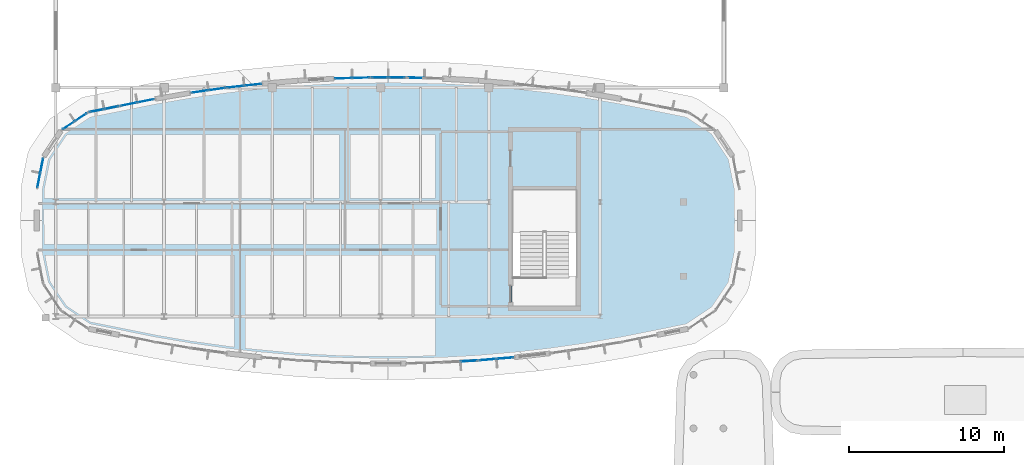
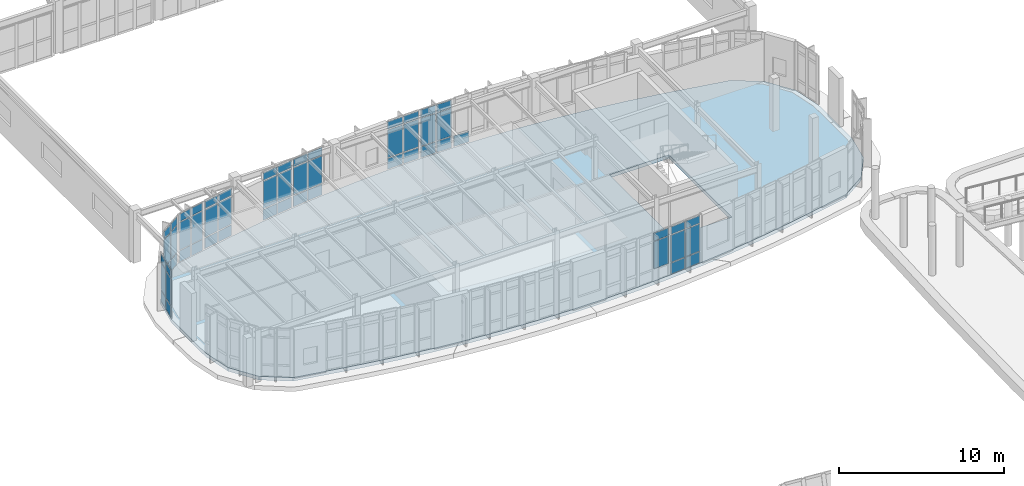
# One storey, part 72 of 111: 57 plates, 1 slab, 11 elements without a shape of their own.
"""IFC4 building model written with IfcOpenShell, lengths in metres."""

from ifc_helpers import new_model, si_unit, direction, frame, origin, origin_2d, place, context, subcontext, project, spatial, polyline, rectangle, outline, extrude, material, layer, layer_set, type_object, element, aggregate, save


model = new_model("IFC4")

# Units and contexts
model_context = context("Model", 3, precision=1e-05, world=origin(), true_north=direction((0.0, 1.0)))
body_context = subcontext(model_context, "Body", "Model", "MODEL_VIEW")
ifc_project = project(units=[si_unit("LENGTHUNIT", "METRE"), si_unit("AREAUNIT", "SQUARE_METRE"), si_unit("VOLUMEUNIT", "CUBIC_METRE"), si_unit("PLANEANGLEUNIT", "RADIAN"), si_unit("MASSUNIT", "GRAM", prefix="KILO")], contexts=[model_context])

# Site, building, storey
site_placement = place(None, origin())
site = spatial("IfcSite", under=ifc_project, at=site_placement, CompositionType="ELEMENT")
building_placement = place(site_placement, origin())
building = spatial("IfcBuilding", under=site, at=building_placement, Name="Corveleigh Park Community Centre", CompositionType="ELEMENT")
storey_placement = place(building_placement, frame((0.0, 0.0, 4.800048828125)))
storey = spatial("IfcBuildingStorey", under=building, at=storey_placement, Name="L01", CompositionType="ELEMENT", Elevation=4.800048828125)

# Curtain wall, plates
ifc_material_1 = material(Name="Anodised aluminium 6063-T6", Category="aluminium")
curtain_wall_type = type_object("IfcCurtainWallType", Name="CW-SYS-V2-HALL", PredefinedType="NOTDEFINED", material=ifc_material_1)
curtain_wall_1_placement = place(storey_placement, origin())
curtain_wall_1 = element("IfcCurtainWall", 1, at=curtain_wall_1_placement, inside=storey, type_object=curtain_wall_type, Name="V2 L01 Curtain Wall 217", PredefinedType="NOTDEFINED")
ifc_material_2 = material(Name="Low-E double glazing", Category="glass")
ifc_layer_1 = layer(ifc_material_2, 0.02392578125, Name="Low-E double glazing", Category="glass")
ifc_layer_set_1 = layer_set([ifc_layer_1], Name="Low-E double glazing")
plate_type_1 = type_object("IfcPlateType", Name="CWP-GLZ-24", PredefinedType="CURTAIN_PANEL", material=ifc_layer_set_1)
plate_1_placement = place(storey_placement, frame((29.802734375, 93.39501953125, 0.06494140625), z_axis=(0.0, 0.0, 1.0), x_axis=(0.999593845531, 0.028498139871, 0.0)))
plate_1 = element("IfcPlate", 2, at=plate_1_placement, type_object=plate_type_1, Name="CW04 panel 1.1", PredefinedType="CURTAIN_PANEL", context=body_context, shape_type="SweptSolid", body=[
    extrude(rectangle(XDim=1.06787109375, YDim=0.02392578125, at=origin_2d()), origin(), (0.0, 0.0, 1.0), 0.802490234375),
])
plate_2_placement = place(storey_placement, frame((29.802734375, 93.39501953125, 0.932373046875), z_axis=(0.0, 0.0, 1.0), x_axis=(0.999593845531, 0.028498139871, 0.0)))
plate_2 = element("IfcPlate", 3, at=plate_2_placement, type_object=plate_type_1, Name="CW04 panel 1.2", PredefinedType="CURTAIN_PANEL", context=body_context, shape_type="SweptSolid", body=[
    extrude(rectangle(XDim=1.06787109375, YDim=0.02392578125, at=origin_2d()), origin(), (0.0, 0.0, 1.0), 2.0419921875),
])
plate_3_placement = place(storey_placement, frame((29.802734375, 93.39501953125, 3.03955078125), z_axis=(0.0, 0.0, 1.0), x_axis=(0.999593845531, 0.028498139871, 0.0)))
plate_3 = element("IfcPlate", 4, at=plate_3_placement, type_object=plate_type_1, Name="CW04 panel 1.3", PredefinedType="CURTAIN_PANEL", context=body_context, shape_type="SweptSolid", body=[
    extrude(rectangle(XDim=1.06787109375, YDim=0.02392578125, at=origin_2d()), origin(), (0.0, 0.0, 1.0), 0.552490234375),
])
plate_4_placement = place(storey_placement, frame((30.93017578125, 93.427001953125, 0.06494140625), z_axis=(0.0, 0.0, 1.0), x_axis=(0.999593845531, 0.028498139871, 0.0)))
plate_4 = element("IfcPlate", 5, at=plate_4_placement, type_object=plate_type_1, Name="CW04 panel 2.1", PredefinedType="CURTAIN_PANEL", context=body_context, shape_type="SweptSolid", body=[
    extrude(rectangle(XDim=1.06787109375, YDim=0.02392578125, at=origin_2d()), origin(), (0.0, 0.0, 1.0), 0.802490234375),
])
plate_5_placement = place(storey_placement, frame((30.93017578125, 93.427001953125, 0.932373046875), z_axis=(0.0, 0.0, 1.0), x_axis=(0.999593845531, 0.028498139871, 0.0)))
plate_5 = element("IfcPlate", 6, at=plate_5_placement, type_object=plate_type_1, Name="CW04 panel 2.2", PredefinedType="CURTAIN_PANEL", context=body_context, shape_type="SweptSolid", body=[
    extrude(rectangle(XDim=1.06787109375, YDim=0.02392578125, at=origin_2d()), origin(), (0.0, 0.0, 1.0), 2.0419921875),
])
plate_6_placement = place(storey_placement, frame((30.93017578125, 93.427001953125, 3.03955078125), z_axis=(0.0, 0.0, 1.0), x_axis=(0.999593845531, 0.028498139871, 0.0)))
plate_6 = element("IfcPlate", 7, at=plate_6_placement, type_object=plate_type_1, Name="CW04 panel 2.3", PredefinedType="CURTAIN_PANEL", context=body_context, shape_type="SweptSolid", body=[
    extrude(rectangle(XDim=1.06787109375, YDim=0.02392578125, at=origin_2d()), origin(), (0.0, 0.0, 1.0), 0.552490234375),
])
aggregate(curtain_wall_1, [plate_1, plate_2, plate_3, plate_4, plate_5, plate_6])

curtain_wall_2_placement = place(storey_placement, origin())
curtain_wall_2 = element("IfcCurtainWall", 8, at=curtain_wall_2_placement, inside=storey, type_object=curtain_wall_type, Name="V2 L01 Curtain Wall 218", PredefinedType="NOTDEFINED")
plate_7_placement = place(storey_placement, frame((22.826416015625, 92.852294921875, 0.070068359375), z_axis=(0.0, 0.0, 1.0), x_axis=(0.99357990731, 0.113132523128, 0.0)))
plate_7 = element("IfcPlate", 9, at=plate_7_placement, type_object=plate_type_1, Name="CW04 panel 1.1", PredefinedType="CURTAIN_PANEL", context=body_context, shape_type="SweptSolid", body=[
    extrude(rectangle(XDim=1.060546875, YDim=0.02392578125, at=origin_2d()), origin(), (0.0, 0.0, 1.0), 0.794921875),
])
plate_8_placement = place(storey_placement, frame((22.826416015625, 92.852294921875, 0.934814453125), z_axis=(0.0, 0.0, 1.0), x_axis=(0.99357990731, 0.113132523128, 0.0)))
plate_8 = element("IfcPlate", 10, at=plate_8_placement, type_object=plate_type_1, Name="CW04 panel 1.2", PredefinedType="CURTAIN_PANEL", context=body_context, shape_type="SweptSolid", body=[
    extrude(rectangle(XDim=1.060546875, YDim=0.02392578125, at=origin_2d()), origin(), (0.0, 0.0, 1.0), 2.037109375),
])
plate_9_placement = place(storey_placement, frame((22.826416015625, 92.852294921875, 3.0419921875), z_axis=(0.0, 0.0, 1.0), x_axis=(0.99357990731, 0.113132523128, 0.0)))
plate_9 = element("IfcPlate", 11, at=plate_9_placement, type_object=plate_type_1, Name="CW04 panel 1.3", PredefinedType="CURTAIN_PANEL", context=body_context, shape_type="SweptSolid", body=[
    extrude(rectangle(XDim=1.060546875, YDim=0.02392578125, at=origin_2d()), origin(), (0.0, 0.0, 1.0), 0.544921875),
])
plate_10_placement = place(storey_placement, frame((23.944580078125, 92.979736328125, 0.070068359375), z_axis=(0.0, 0.0, 1.0), x_axis=(0.99357990731, 0.113132523128, 0.0)))
plate_10 = element("IfcPlate", 12, at=plate_10_placement, type_object=plate_type_1, Name="CW04 panel 2.1", PredefinedType="CURTAIN_PANEL", context=body_context, shape_type="SweptSolid", body=[
    extrude(rectangle(XDim=1.060546875, YDim=0.02392578125, at=origin_2d()), origin(), (0.0, 0.0, 1.0), 0.794921875),
])
plate_11_placement = place(storey_placement, frame((23.944580078125, 92.979736328125, 0.934814453125), z_axis=(0.0, 0.0, 1.0), x_axis=(0.99357990731, 0.113132523128, 0.0)))
plate_11 = element("IfcPlate", 13, at=plate_11_placement, type_object=plate_type_1, Name="CW04 panel 2.2", PredefinedType="CURTAIN_PANEL", context=body_context, shape_type="SweptSolid", body=[
    extrude(rectangle(XDim=1.060546875, YDim=0.02392578125, at=origin_2d()), origin(), (0.0, 0.0, 1.0), 2.037109375),
])
plate_12_placement = place(storey_placement, frame((23.944580078125, 92.979736328125, 3.0419921875), z_axis=(0.0, 0.0, 1.0), x_axis=(0.99357990731, 0.113132523128, 0.0)))
plate_12 = element("IfcPlate", 14, at=plate_12_placement, type_object=plate_type_1, Name="CW04 panel 2.3", PredefinedType="CURTAIN_PANEL", context=body_context, shape_type="SweptSolid", body=[
    extrude(rectangle(XDim=1.060546875, YDim=0.02392578125, at=origin_2d()), origin(), (0.0, 0.0, 1.0), 0.544921875),
])
aggregate(curtain_wall_2, [plate_7, plate_8, plate_9, plate_10, plate_11, plate_12])

curtain_wall_3_placement = place(storey_placement, origin())
curtain_wall_3 = element("IfcCurtainWall", 15, at=curtain_wall_3_placement, inside=storey, type_object=curtain_wall_type, Name="V2 L01 Curtain Wall 219", PredefinedType="NOTDEFINED")
ifc_layer_2 = layer(ifc_material_2, 0.028076171875, Name="Low-E double glazing", Category="glass")
ifc_layer_set_2 = layer_set([ifc_layer_2], Name="Low-E double glazing")
plate_type_2 = type_object("IfcPlateType", Name="CWP-GLZ-28", PredefinedType="CURTAIN_PANEL", material=ifc_layer_set_2)
plate_13_placement = place(storey_placement, frame((20.515380859375, 92.53955078125, 0.074951171875), z_axis=(0.0, 0.0, 1.0), x_axis=(0.989914912111, 0.141663216042, 0.0)))
plate_13 = element("IfcPlate", 16, at=plate_13_placement, type_object=plate_type_2, Name="CW04 panel 1.1", PredefinedType="CURTAIN_PANEL", context=body_context, shape_type="SweptSolid", body=[
    extrude(rectangle(XDim=1.052734375, YDim=0.028076171875, at=origin_2d()), origin(), (0.0, 0.0, 1.0), 0.78759765625),
])
plate_14_placement = place(storey_placement, frame((20.515380859375, 92.53955078125, 0.9375), z_axis=(0.0, 0.0, 1.0), x_axis=(0.989914912111, 0.141663216042, 0.0)))
plate_14 = element("IfcPlate", 17, at=plate_14_placement, type_object=plate_type_2, Name="CW04 panel 1.2", PredefinedType="CURTAIN_PANEL", context=body_context, shape_type="SweptSolid", body=[
    extrude(rectangle(XDim=1.052734375, YDim=0.028076171875, at=origin_2d()), origin(), (0.0, 0.0, 1.0), 2.031982421875),
])
plate_15_placement = place(storey_placement, frame((20.515380859375, 92.53955078125, 3.04443359375), z_axis=(0.0, 0.0, 1.0), x_axis=(0.989914912111, 0.141663216042, 0.0)))
plate_15 = element("IfcPlate", 18, at=plate_15_placement, type_object=plate_type_2, Name="CW04 panel 1.3", PredefinedType="CURTAIN_PANEL", context=body_context, shape_type="SweptSolid", body=[
    extrude(rectangle(XDim=1.052734375, YDim=0.028076171875, at=origin_2d()), origin(), (0.0, 0.0, 1.0), 0.53759765625),
])
plate_16_placement = place(storey_placement, frame((21.626708984375, 92.698486328125, 0.074951171875), z_axis=(0.0, 0.0, 1.0), x_axis=(0.989914912111, 0.141663216042, 0.0)))
plate_16 = element("IfcPlate", 19, at=plate_16_placement, type_object=plate_type_2, Name="CW04 panel 2.1", PredefinedType="CURTAIN_PANEL", context=body_context, shape_type="SweptSolid", body=[
    extrude(rectangle(XDim=1.052734375, YDim=0.028076171875, at=origin_2d()), origin(), (0.0, 0.0, 1.0), 0.78759765625),
])
plate_17_placement = place(storey_placement, frame((21.626708984375, 92.698486328125, 0.9375), z_axis=(0.0, 0.0, 1.0), x_axis=(0.989914912111, 0.141663216042, 0.0)))
plate_17 = element("IfcPlate", 20, at=plate_17_placement, type_object=plate_type_2, Name="CW04 panel 2.2", PredefinedType="CURTAIN_PANEL", context=body_context, shape_type="SweptSolid", body=[
    extrude(rectangle(XDim=1.052734375, YDim=0.028076171875, at=origin_2d()), origin(), (0.0, 0.0, 1.0), 2.031982421875),
])
plate_18_placement = place(storey_placement, frame((21.626708984375, 92.698486328125, 3.04443359375), z_axis=(0.0, 0.0, 1.0), x_axis=(0.989914912111, 0.141663216042, 0.0)))
plate_18 = element("IfcPlate", 21, at=plate_18_placement, type_object=plate_type_2, Name="CW04 panel 2.3", PredefinedType="CURTAIN_PANEL", context=body_context, shape_type="SweptSolid", body=[
    extrude(rectangle(XDim=1.052734375, YDim=0.028076171875, at=origin_2d()), origin(), (0.0, 0.0, 1.0), 0.53759765625),
])
aggregate(curtain_wall_3, [plate_13, plate_14, plate_15, plate_16, plate_17, plate_18])

curtain_wall_4_placement = place(storey_placement, origin())
curtain_wall_4 = element("IfcCurtainWall", 22, at=curtain_wall_4_placement, inside=storey, type_object=curtain_wall_type, Name="V2 L01 Curtain Wall 220", PredefinedType="NOTDEFINED")
plate_19_placement = place(storey_placement, frame((15.920654296875, 91.718994140625, 0.080078125), z_axis=(0.0, 0.0, 1.0), x_axis=(0.980381101638, 0.197111378544, 0.0)))
plate_19 = element("IfcPlate", 23, at=plate_19_placement, type_object=plate_type_2, Name="CW04 panel 1.1", PredefinedType="CURTAIN_PANEL", context=body_context, shape_type="SweptSolid", body=[
    extrude(rectangle(XDim=1.046630859375, YDim=0.028076171875, at=origin_2d()), origin(), (0.0, 0.0, 1.0), 0.780029296875),
])
plate_20_placement = place(storey_placement, frame((15.920654296875, 91.718994140625, 0.93994140625), z_axis=(0.0, 0.0, 1.0), x_axis=(0.980381101638, 0.197111378544, 0.0)))
plate_20 = element("IfcPlate", 24, at=plate_20_placement, type_object=plate_type_2, Name="CW04 panel 1.2", PredefinedType="CURTAIN_PANEL", context=body_context, shape_type="SweptSolid", body=[
    extrude(rectangle(XDim=1.046630859375, YDim=0.028076171875, at=origin_2d()), origin(), (0.0, 0.0, 1.0), 2.027099609375),
])
plate_21_placement = place(storey_placement, frame((15.920654296875, 91.718994140625, 3.046875), z_axis=(0.0, 0.0, 1.0), x_axis=(0.980381101638, 0.197111378544, 0.0)))
plate_21 = element("IfcPlate", 25, at=plate_21_placement, type_object=plate_type_2, Name="CW04 panel 1.3", PredefinedType="CURTAIN_PANEL", context=body_context, shape_type="SweptSolid", body=[
    extrude(rectangle(XDim=1.046630859375, YDim=0.028076171875, at=origin_2d()), origin(), (0.0, 0.0, 1.0), 0.530029296875),
])
plate_22_placement = place(storey_placement, frame((17.020263671875, 91.93994140625, 0.080078125), z_axis=(0.0, 0.0, 1.0), x_axis=(0.980381101638, 0.197111378544, 0.0)))
plate_22 = element("IfcPlate", 26, at=plate_22_placement, type_object=plate_type_2, Name="CW04 panel 2.1", PredefinedType="CURTAIN_PANEL", context=body_context, shape_type="SweptSolid", body=[
    extrude(rectangle(XDim=1.046630859375, YDim=0.028076171875, at=origin_2d()), origin(), (0.0, 0.0, 1.0), 0.780029296875),
])
plate_23_placement = place(storey_placement, frame((17.020263671875, 91.93994140625, 0.93994140625), z_axis=(0.0, 0.0, 1.0), x_axis=(0.980381101638, 0.197111378544, 0.0)))
plate_23 = element("IfcPlate", 27, at=plate_23_placement, type_object=plate_type_2, Name="CW04 panel 2.2", PredefinedType="CURTAIN_PANEL", context=body_context, shape_type="SweptSolid", body=[
    extrude(rectangle(XDim=1.046630859375, YDim=0.028076171875, at=origin_2d()), origin(), (0.0, 0.0, 1.0), 2.027099609375),
])
plate_24_placement = place(storey_placement, frame((17.020263671875, 91.93994140625, 3.046875), z_axis=(0.0, 0.0, 1.0), x_axis=(0.980381101638, 0.197111378544, 0.0)))
plate_24 = element("IfcPlate", 28, at=plate_24_placement, type_object=plate_type_2, Name="CW04 panel 2.3", PredefinedType="CURTAIN_PANEL", context=body_context, shape_type="SweptSolid", body=[
    extrude(rectangle(XDim=1.046630859375, YDim=0.028076171875, at=origin_2d()), origin(), (0.0, 0.0, 1.0), 0.530029296875),
])
aggregate(curtain_wall_4, [plate_19, plate_20, plate_21, plate_22, plate_23, plate_24])

curtain_wall_5_placement = place(storey_placement, origin())
curtain_wall_5 = element("IfcCurtainWall", 29, at=curtain_wall_5_placement, inside=storey, type_object=curtain_wall_type, Name="V2 L01 Curtain Wall 221", PredefinedType="NOTDEFINED")
ifc_layer_3 = layer(ifc_material_2, 0.031982421875, Name="Low-E double glazing", Category="glass")
ifc_layer_set_3 = layer_set([ifc_layer_3], Name="Low-E double glazing")
plate_type_3 = type_object("IfcPlateType", Name="CWP-GLZ-32", PredefinedType="CURTAIN_PANEL", material=ifc_layer_set_3)
plate_25_placement = place(storey_placement, frame((13.849853515625, 91.305908203125, 0.059814453125), z_axis=(0.0, 0.0, 1.0), x_axis=(0.980750988442, 0.195262640231, 0.0)))
plate_25 = element("IfcPlate", 30, at=plate_25_placement, type_object=plate_type_3, Name="CW04 panel 1.1", PredefinedType="CURTAIN_PANEL", context=body_context, shape_type="SweptSolid", body=[
    extrude(rectangle(XDim=0.89404296875, YDim=0.031982421875, at=origin_2d()), origin(), (0.0, 0.0, 1.0), 0.81005859375),
])
plate_26_placement = place(storey_placement, frame((13.849853515625, 91.305908203125, 0.9296875), z_axis=(0.0, 0.0, 1.0), x_axis=(0.980750988442, 0.195262640231, 0.0)))
plate_26 = element("IfcPlate", 31, at=plate_26_placement, type_object=plate_type_3, Name="CW04 panel 1.2", PredefinedType="CURTAIN_PANEL", context=body_context, shape_type="SweptSolid", body=[
    extrude(rectangle(XDim=0.89404296875, YDim=0.031982421875, at=origin_2d()), origin(), (0.0, 0.0, 1.0), 2.047119140625),
])
plate_27_placement = place(storey_placement, frame((13.849853515625, 91.305908203125, 3.036865234375), z_axis=(0.0, 0.0, 1.0), x_axis=(0.980750988442, 0.195262640231, 0.0)))
plate_27 = element("IfcPlate", 32, at=plate_27_placement, type_object=plate_type_3, Name="CW04 panel 1.3", PredefinedType="CURTAIN_PANEL", context=body_context, shape_type="SweptSolid", body=[
    extrude(rectangle(XDim=0.89404296875, YDim=0.031982421875, at=origin_2d()), origin(), (0.0, 0.0, 1.0), 0.56005859375),
])
plate_28_placement = place(storey_placement, frame((14.80517578125, 91.49609375, 0.059814453125), z_axis=(0.0, 0.0, 1.0), x_axis=(0.980750988442, 0.195262640231, 0.0)))
plate_28 = element("IfcPlate", 33, at=plate_28_placement, type_object=plate_type_3, Name="CW04 panel 2.1", PredefinedType="CURTAIN_PANEL", context=body_context, shape_type="SweptSolid", body=[
    extrude(rectangle(XDim=0.89404296875, YDim=0.031982421875, at=origin_2d()), origin(), (0.0, 0.0, 1.0), 0.81005859375),
])
plate_29_placement = place(storey_placement, frame((14.80517578125, 91.49609375, 0.9296875), z_axis=(0.0, 0.0, 1.0), x_axis=(0.980750988442, 0.195262640231, 0.0)))
plate_29 = element("IfcPlate", 34, at=plate_29_placement, type_object=plate_type_3, Name="CW04 panel 2.2", PredefinedType="CURTAIN_PANEL", context=body_context, shape_type="SweptSolid", body=[
    extrude(rectangle(XDim=0.89404296875, YDim=0.031982421875, at=origin_2d()), origin(), (0.0, 0.0, 1.0), 2.047119140625),
])
plate_30_placement = place(storey_placement, frame((14.80517578125, 91.49609375, 3.036865234375), z_axis=(0.0, 0.0, 1.0), x_axis=(0.980750988442, 0.195262640231, 0.0)))
plate_30 = element("IfcPlate", 35, at=plate_30_placement, type_object=plate_type_3, Name="CW04 panel 2.3", PredefinedType="CURTAIN_PANEL", context=body_context, shape_type="SweptSolid", body=[
    extrude(rectangle(XDim=0.89404296875, YDim=0.031982421875, at=origin_2d()), origin(), (0.0, 0.0, 1.0), 0.56005859375),
])
aggregate(curtain_wall_5, [plate_25, plate_26, plate_27, plate_28, plate_29, plate_30])

curtain_wall_6_placement = place(storey_placement, origin())
curtain_wall_6 = element("IfcCurtainWall", 36, at=curtain_wall_6_placement, inside=storey, type_object=curtain_wall_type, Name="V2 L01 Curtain Wall 222", PredefinedType="NOTDEFINED")
plate_31_placement = place(storey_placement, frame((12.029052734375, 90.35205078125, 0.06494140625), z_axis=(0.0, 0.0, 1.0), x_axis=(0.831508500991, 0.555512027575, 0.0)))
plate_31 = element("IfcPlate", 37, at=plate_31_placement, type_object=plate_type_3, Name="CW04 panel 1.1", PredefinedType="CURTAIN_PANEL", context=body_context, shape_type="SweptSolid", body=[
    extrude(rectangle(XDim=0.8671875, YDim=0.031982421875, at=origin_2d()), origin(), (0.0, 0.0, 1.0), 0.802490234375),
])
plate_32_placement = place(storey_placement, frame((12.029052734375, 90.35205078125, 0.932373046875), z_axis=(0.0, 0.0, 1.0), x_axis=(0.831508500991, 0.555512027575, 0.0)))
plate_32 = element("IfcPlate", 38, at=plate_32_placement, type_object=plate_type_3, Name="CW04 panel 1.2", PredefinedType="CURTAIN_PANEL", context=body_context, shape_type="SweptSolid", body=[
    extrude(rectangle(XDim=0.8671875, YDim=0.031982421875, at=origin_2d()), origin(), (0.0, 0.0, 1.0), 1.9970703125),
])
plate_33_placement = place(storey_placement, frame((12.029052734375, 90.35205078125, 2.99462890625), z_axis=(0.0, 0.0, 1.0), x_axis=(0.831508500991, 0.555512027575, 0.0)))
plate_33 = element("IfcPlate", 39, at=plate_33_placement, type_object=plate_type_3, Name="CW04 panel 1.3", PredefinedType="CURTAIN_PANEL", context=body_context, shape_type="SweptSolid", body=[
    extrude(rectangle(XDim=0.8671875, YDim=0.031982421875, at=origin_2d()), origin(), (0.0, 0.0, 1.0), 0.552490234375),
])
plate_34_placement = place(storey_placement, frame((12.82080078125, 90.880859375, 0.06494140625), z_axis=(0.0, 0.0, 1.0), x_axis=(0.831508500991, 0.555512027575, 0.0)))
plate_34 = element("IfcPlate", 40, at=plate_34_placement, type_object=plate_type_3, Name="CW04 panel 2.1", PredefinedType="CURTAIN_PANEL", context=body_context, shape_type="SweptSolid", body=[
    extrude(rectangle(XDim=0.8671875, YDim=0.031982421875, at=origin_2d()), origin(), (0.0, 0.0, 1.0), 0.802490234375),
])
plate_35_placement = place(storey_placement, frame((12.82080078125, 90.880859375, 0.932373046875), z_axis=(0.0, 0.0, 1.0), x_axis=(0.831508500991, 0.555512027575, 0.0)))
plate_35 = element("IfcPlate", 41, at=plate_35_placement, type_object=plate_type_3, Name="CW04 panel 2.2", PredefinedType="CURTAIN_PANEL", context=body_context, shape_type="SweptSolid", body=[
    extrude(rectangle(XDim=0.8671875, YDim=0.031982421875, at=origin_2d()), origin(), (0.0, 0.0, 1.0), 1.9970703125),
])
plate_36_placement = place(storey_placement, frame((12.82080078125, 90.880859375, 2.99462890625), z_axis=(0.0, 0.0, 1.0), x_axis=(0.831508500991, 0.555512027575, 0.0)))
plate_36 = element("IfcPlate", 42, at=plate_36_placement, type_object=plate_type_3, Name="CW04 panel 2.3", PredefinedType="CURTAIN_PANEL", context=body_context, shape_type="SweptSolid", body=[
    extrude(rectangle(XDim=0.8671875, YDim=0.031982421875, at=origin_2d()), origin(), (0.0, 0.0, 1.0), 0.552490234375),
])
aggregate(curtain_wall_6, [plate_31, plate_32, plate_33, plate_34, plate_35, plate_36])

curtain_wall_7_placement = place(storey_placement, origin())
curtain_wall_7 = element("IfcCurtainWall", 43, at=curtain_wall_7_placement, inside=storey, type_object=curtain_wall_type, Name="V2 L01 Curtain Wall 223", PredefinedType="NOTDEFINED")
ifc_layer_4 = layer(ifc_material_2, 0.035888671875, Name="Low-E double glazing", Category="glass")
ifc_layer_set_4 = layer_set([ifc_layer_4], Name="Low-E double glazing")
plate_type_4 = type_object("IfcPlateType", Name="CWP-GLZ-36", PredefinedType="CURTAIN_PANEL", material=ifc_layer_set_4)
plate_37_placement = place(storey_placement, frame((10.10595703125, 86.803466796875, 0.070068359375), z_axis=(0.0, 0.0, 1.0), x_axis=(0.195063384171, 0.980790638289, 0.0)))
plate_37 = element("IfcPlate", 44, at=plate_37_placement, type_object=plate_type_4, Name="CW04 panel 1.1", PredefinedType="CURTAIN_PANEL", context=body_context, shape_type="SweptSolid", body=[
    extrude(rectangle(XDim=0.914794921875, YDim=0.035888671875, at=origin_2d()), origin(), (0.0, 0.0, 1.0), 0.794921875),
])
plate_38_placement = place(storey_placement, frame((10.10595703125, 86.803466796875, 0.93505859375), z_axis=(0.0, 0.0, 1.0), x_axis=(0.195063384171, 0.980790638289, 0.0)))
plate_38 = element("IfcPlate", 45, at=plate_38_placement, type_object=plate_type_4, Name="CW04 panel 1.2", PredefinedType="CURTAIN_PANEL", context=body_context, shape_type="SweptSolid", body=[
    extrude(rectangle(XDim=0.914794921875, YDim=0.035888671875, at=origin_2d()), origin(), (0.0, 0.0, 1.0), 1.991943359375),
])
plate_39_placement = place(storey_placement, frame((10.10595703125, 86.803466796875, 2.9970703125), z_axis=(0.0, 0.0, 1.0), x_axis=(0.195063384171, 0.980790638289, 0.0)))
plate_39 = element("IfcPlate", 46, at=plate_39_placement, type_object=plate_type_4, Name="CW04 panel 1.3", PredefinedType="CURTAIN_PANEL", context=body_context, shape_type="SweptSolid", body=[
    extrude(rectangle(XDim=0.914794921875, YDim=0.035888671875, at=origin_2d()), origin(), (0.0, 0.0, 1.0), 0.544921875),
])
plate_40_placement = place(storey_placement, frame((10.296142578125, 87.759521484375, 0.070068359375), z_axis=(0.0, 0.0, 1.0), x_axis=(0.195063384171, 0.980790638289, 0.0)))
plate_40 = element("IfcPlate", 47, at=plate_40_placement, type_object=plate_type_4, Name="CW04 panel 2.1", PredefinedType="CURTAIN_PANEL", context=body_context, shape_type="SweptSolid", body=[
    extrude(rectangle(XDim=0.914794921875, YDim=0.035888671875, at=origin_2d()), origin(), (0.0, 0.0, 1.0), 0.794921875),
])
plate_41_placement = place(storey_placement, frame((10.296142578125, 87.759521484375, 0.93505859375), z_axis=(0.0, 0.0, 1.0), x_axis=(0.195063384171, 0.980790638289, 0.0)))
plate_41 = element("IfcPlate", 48, at=plate_41_placement, type_object=plate_type_4, Name="CW04 panel 2.2", PredefinedType="CURTAIN_PANEL", context=body_context, shape_type="SweptSolid", body=[
    extrude(rectangle(XDim=0.914794921875, YDim=0.035888671875, at=origin_2d()), origin(), (0.0, 0.0, 1.0), 1.991943359375),
])
plate_42_placement = place(storey_placement, frame((10.296142578125, 87.759521484375, 2.9970703125), z_axis=(0.0, 0.0, 1.0), x_axis=(0.195063384171, 0.980790638289, 0.0)))
plate_42 = element("IfcPlate", 49, at=plate_42_placement, type_object=plate_type_4, Name="CW04 panel 2.3", PredefinedType="CURTAIN_PANEL", context=body_context, shape_type="SweptSolid", body=[
    extrude(rectangle(XDim=0.914794921875, YDim=0.035888671875, at=origin_2d()), origin(), (0.0, 0.0, 1.0), 0.544921875),
])
aggregate(curtain_wall_7, [plate_37, plate_38, plate_39, plate_40, plate_41, plate_42])

curtain_wall_8_placement = place(storey_placement, origin())
curtain_wall_8 = element("IfcCurtainWall", 50, at=curtain_wall_8_placement, inside=storey, type_object=curtain_wall_type, Name="V2 L01 Curtain Wall 201", PredefinedType="NOTDEFINED")
ifc_layer_5 = layer(ifc_material_2, 0.0400390625, Name="Low-E double glazing", Category="glass")
ifc_layer_set_5 = layer_set([ifc_layer_5], Name="Low-E double glazing")
plate_type_5 = type_object("IfcPlateType", Name="CWP-GLZ-40", PredefinedType="CURTAIN_PANEL", material=ifc_layer_set_5)
plate_43_placement = place(storey_placement, frame((37.925537109375, 75.11962890625, 0.93017578125), z_axis=(0.0, 0.0, 1.0), x_axis=(-0.998422923611, -0.056139697262, 0.0)))
plate_43 = element("IfcPlate", 51, at=plate_43_placement, type_object=plate_type_5, Name="CW04 panel 1.2", PredefinedType="CURTAIN_PANEL", context=body_context, shape_type="SweptSolid", body=[
    extrude(rectangle(XDim=1.052734375, YDim=0.0400390625, at=origin_2d()), origin(), (0.0, 0.0, 1.0), 2.010009765625),
])
plate_44_placement = place(storey_placement, frame((37.925537109375, 75.11962890625, 3.0), z_axis=(0.0, 0.0, 1.0), x_axis=(-0.998422923611, -0.056139697262, 0.0)))
plate_44 = element("IfcPlate", 52, at=plate_44_placement, type_object=plate_type_5, Name="CW04 panel 1.3", PredefinedType="CURTAIN_PANEL", context=body_context, shape_type="SweptSolid", body=[
    extrude(rectangle(XDim=1.052734375, YDim=0.0400390625, at=origin_2d()), origin(), (0.0, 0.0, 1.0), 0.56005859375),
])
aggregate(curtain_wall_8, [plate_43, plate_44])

curtain_wall_9_placement = place(storey_placement, origin())
curtain_wall_9 = element("IfcCurtainWall", 53, at=curtain_wall_9_placement, inside=storey, type_object=curtain_wall_type, Name="V2 L01 Curtain Wall 202", PredefinedType="NOTDEFINED")
plate_45_placement = place(storey_placement, frame((40.25048828125, 75.30029296875, 0.06494140625), z_axis=(0.0, 0.0, 1.0), x_axis=(-0.996410419918, -0.084653854486, 0.0)))
plate_45 = element("IfcPlate", 54, at=plate_45_placement, type_object=plate_type_5, Name="CW04 panel 1.1", PredefinedType="CURTAIN_PANEL", context=body_context, shape_type="SweptSolid", body=[
    extrude(rectangle(XDim=1.045166015625, YDim=0.0400390625, at=origin_2d()), origin(), (0.0, 0.0, 1.0), 0.802490234375),
])
plate_46_placement = place(storey_placement, frame((40.25048828125, 75.30029296875, 0.9326171875), z_axis=(0.0, 0.0, 1.0), x_axis=(-0.996410419918, -0.084653854486, 0.0)))
plate_46 = element("IfcPlate", 55, at=plate_46_placement, type_object=plate_type_5, Name="CW04 panel 1.2", PredefinedType="CURTAIN_PANEL", context=body_context, shape_type="SweptSolid", body=[
    extrude(rectangle(XDim=1.045166015625, YDim=0.0400390625, at=origin_2d()), origin(), (0.0, 0.0, 1.0), 2.0048828125),
])
plate_47_placement = place(storey_placement, frame((40.25048828125, 75.30029296875, 3.00244140625), z_axis=(0.0, 0.0, 1.0), x_axis=(-0.996410419918, -0.084653854486, 0.0)))
plate_47 = element("IfcPlate", 56, at=plate_47_placement, type_object=plate_type_5, Name="CW04 panel 1.3", PredefinedType="CURTAIN_PANEL", context=body_context, shape_type="SweptSolid", body=[
    extrude(rectangle(XDim=1.045166015625, YDim=0.0400390625, at=origin_2d()), origin(), (0.0, 0.0, 1.0), 0.552490234375),
])
plate_48_placement = place(storey_placement, frame((39.134521484375, 75.20556640625, 0.06494140625), z_axis=(0.0, 0.0, 1.0), x_axis=(-0.996410419918, -0.084653854486, 0.0)))
plate_48 = element("IfcPlate", 57, at=plate_48_placement, type_object=plate_type_5, Name="CW04 panel 2.1", PredefinedType="CURTAIN_PANEL", context=body_context, shape_type="SweptSolid", body=[
    extrude(rectangle(XDim=1.045166015625, YDim=0.0400390625, at=origin_2d()), origin(), (0.0, 0.0, 1.0), 0.802490234375),
])
plate_49_placement = place(storey_placement, frame((39.134521484375, 75.20556640625, 0.9326171875), z_axis=(0.0, 0.0, 1.0), x_axis=(-0.996410419918, -0.084653854486, 0.0)))
plate_49 = element("IfcPlate", 58, at=plate_49_placement, type_object=plate_type_5, Name="CW04 panel 2.2", PredefinedType="CURTAIN_PANEL", context=body_context, shape_type="SweptSolid", body=[
    extrude(rectangle(XDim=1.045166015625, YDim=0.0400390625, at=origin_2d()), origin(), (0.0, 0.0, 1.0), 2.0048828125),
])
plate_50_placement = place(storey_placement, frame((39.134521484375, 75.20556640625, 3.00244140625), z_axis=(0.0, 0.0, 1.0), x_axis=(-0.996410419918, -0.084653854486, 0.0)))
plate_50 = element("IfcPlate", 59, at=plate_50_placement, type_object=plate_type_5, Name="CW04 panel 2.3", PredefinedType="CURTAIN_PANEL", context=body_context, shape_type="SweptSolid", body=[
    extrude(rectangle(XDim=1.045166015625, YDim=0.0400390625, at=origin_2d()), origin(), (0.0, 0.0, 1.0), 0.552490234375),
])
aggregate(curtain_wall_9, [plate_45, plate_46, plate_47, plate_48, plate_49, plate_50])

# Curtain wall, plate
curtain_wall_10_placement = place(storey_placement, origin())
curtain_wall_10 = element("IfcCurtainWall", 60, at=curtain_wall_10_placement, inside=storey, type_object=curtain_wall_type, Name="V2 L01 Curtain Wall 215", PredefinedType="NOTDEFINED")
ifc_layer_6 = layer(ifc_material_2, 0.0439453125, Name="Low-E double glazing", Category="glass")
ifc_layer_set_6 = layer_set([ifc_layer_6], Name="Low-E double glazing")
plate_type_6 = type_object("IfcPlateType", Name="CWP-GLZ-44", PredefinedType="CURTAIN_PANEL", material=ifc_layer_set_6)
plate_51_placement = place(storey_placement, frame((34.474853515625, 93.427001953125, 0.080078125), z_axis=(0.0, 0.0, 1.0), x_axis=(0.999593845531, -0.028498139871, 0.0)))
plate_51 = element("IfcPlate", 61, at=plate_51_placement, type_object=plate_type_6, Name="CW04 panel 1.1", PredefinedType="CURTAIN_PANEL", context=body_context, shape_type="SweptSolid", body=[
    extrude(rectangle(XDim=1.0380859375, YDim=0.0439453125, at=origin_2d()), origin(), (0.0, 0.0, 1.0), 0.780029296875),
])
aggregate(curtain_wall_10, [plate_51])

# Curtain wall, plates
curtain_wall_11_placement = place(storey_placement, origin())
curtain_wall_11 = element("IfcCurtainWall", 62, at=curtain_wall_11_placement, inside=storey, type_object=curtain_wall_type, Name="V2 L01 Curtain Wall 216", PredefinedType="NOTDEFINED")
plate_52_placement = place(storey_placement, frame((32.142333984375, 93.444091796875, 0.059814453125), z_axis=(0.0, 0.0, 1.0), x_axis=(1.0, 0.0, 0.0)))
plate_52 = element("IfcPlate", 63, at=plate_52_placement, type_object=plate_type_6, Name="CW04 panel 1.1", PredefinedType="CURTAIN_PANEL", context=body_context, shape_type="SweptSolid", body=[
    extrude(rectangle(XDim=1.030517578125, YDim=0.0439453125, at=origin_2d()), origin(), (0.0, 0.0, 1.0), 0.81005859375),
])
plate_53_placement = place(storey_placement, frame((32.142333984375, 93.444091796875, 0.9296875), z_axis=(0.0, 0.0, 1.0), x_axis=(1.0, 0.0, 0.0)))
plate_53 = element("IfcPlate", 64, at=plate_53_placement, type_object=plate_type_6, Name="CW04 panel 1.2", PredefinedType="CURTAIN_PANEL", context=body_context, shape_type="SweptSolid", body=[
    extrude(rectangle(XDim=1.030517578125, YDim=0.0439453125, at=origin_2d()), origin(), (0.0, 0.0, 1.0), 2.047119140625),
])
plate_54_placement = place(storey_placement, frame((32.142333984375, 93.444091796875, 3.036865234375), z_axis=(0.0, 0.0, 1.0), x_axis=(1.0, 0.0, 0.0)))
plate_54 = element("IfcPlate", 65, at=plate_54_placement, type_object=plate_type_6, Name="CW04 panel 1.3", PredefinedType="CURTAIN_PANEL", context=body_context, shape_type="SweptSolid", body=[
    extrude(rectangle(XDim=1.030517578125, YDim=0.0439453125, at=origin_2d()), origin(), (0.0, 0.0, 1.0), 0.56005859375),
])
plate_55_placement = place(storey_placement, frame((33.2578125, 93.444091796875, 0.059814453125), z_axis=(0.0, 0.0, 1.0), x_axis=(1.0, 0.0, 0.0)))
plate_55 = element("IfcPlate", 66, at=plate_55_placement, type_object=plate_type_6, Name="CW04 panel 2.1", PredefinedType="CURTAIN_PANEL", context=body_context, shape_type="SweptSolid", body=[
    extrude(rectangle(XDim=1.030517578125, YDim=0.0439453125, at=origin_2d()), origin(), (0.0, 0.0, 1.0), 0.81005859375),
])
plate_56_placement = place(storey_placement, frame((33.2578125, 93.444091796875, 0.9296875), z_axis=(0.0, 0.0, 1.0), x_axis=(1.0, 0.0, 0.0)))
plate_56 = element("IfcPlate", 67, at=plate_56_placement, type_object=plate_type_6, Name="CW04 panel 2.2", PredefinedType="CURTAIN_PANEL", context=body_context, shape_type="SweptSolid", body=[
    extrude(rectangle(XDim=1.030517578125, YDim=0.0439453125, at=origin_2d()), origin(), (0.0, 0.0, 1.0), 2.047119140625),
])
plate_57_placement = place(storey_placement, frame((33.2578125, 93.444091796875, 3.036865234375), z_axis=(0.0, 0.0, 1.0), x_axis=(1.0, 0.0, 0.0)))
plate_57 = element("IfcPlate", 68, at=plate_57_placement, type_object=plate_type_6, Name="CW04 panel 2.3", PredefinedType="CURTAIN_PANEL", context=body_context, shape_type="SweptSolid", body=[
    extrude(rectangle(XDim=1.030517578125, YDim=0.0439453125, at=origin_2d()), origin(), (0.0, 0.0, 1.0), 0.56005859375),
])
aggregate(curtain_wall_11, [plate_52, plate_53, plate_54, plate_55, plate_56, plate_57])

# Slab
ifc_material_3 = material(Name="Concrete C32/40", Category="concrete")
ifc_layer_7 = layer(ifc_material_3, 0.264892578125, Name="Concrete C32/40", Category="concrete")
ifc_layer_set_7 = layer_set([ifc_layer_7], Name="Concrete C32/40")
slab_type = type_object("IfcSlabType", Name="SLB-FLR-265", PredefinedType="FLOOR", material=ifc_layer_set_7)
slab_placement = place(storey_placement, frame((0.0, 0.0, -0.26513671875)))
element("IfcSlab", 69, at=slab_placement, inside=storey, type_object=slab_type, Name="V2 L01 floor slab", PredefinedType="FLOOR", context=body_context, shape_type="SweptSolid", body=[
    extrude(outline(polyline([(13.2890625, 77.2060546875), (11.56103515625, 78.361083984375), (10.406005859375, 80.089111328125), (10.0, 82.1279296875), (9.97705078125, 83.509033203125), (10.0, 86.27197265625), (10.406005859375, 88.31103515625), (11.56103515625, 90.0390625), (13.2890625, 91.194091796875), (17.615966796875, 92.06005859375), (19.916015625, 92.4541015625), (22.22607421875, 92.783935546875), (24.544921875, 93.048095703125), (26.8701171875, 93.24609375), (29.199951171875, 93.3779296875), (31.532958984375, 93.444091796875), (33.866943359375, 93.444091796875), (36.199951171875, 93.3779296875), (38.530029296875, 93.24609375), (40.85498046875, 93.048095703125), (43.174072265625, 92.783935546875), (45.48388671875, 92.4541015625), (47.783935546875, 92.06005859375), (52.111083984375, 91.194091796875), (53.839111328125, 90.0390625), (54.993896484375, 88.31103515625), (55.39990234375, 86.27197265625), (55.423095703125, 84.89111328125), (55.39990234375, 82.1279296875), (54.993896484375, 80.089111328125), (53.839111328125, 78.361083984375), (52.111083984375, 77.2060546875), (47.783935546875, 76.340087890625), (45.48388671875, 75.946044921875), (43.174072265625, 75.615966796875), (40.85498046875, 75.35205078125), (38.530029296875, 75.154052734375), (36.199951171875, 75.02197265625), (33.866943359375, 74.9560546875), (31.532958984375, 74.9560546875), (29.199951171875, 75.02197265625), (26.8701171875, 75.154052734375), (24.544921875, 75.35205078125), (22.22607421875, 75.615966796875), (19.916015625, 75.946044921875), (17.615966796875, 76.340087890625), (13.2890625, 77.2060546875)]), holes=[polyline([(44.89208984375, 86.22900390625), (40.708984375, 86.22900390625), (40.708984375, 78.60791015625), (44.89208984375, 78.60791015625), (44.89208984375, 86.22900390625)])]), origin(), (0.0, 0.0, 1.0), 0.26513671875),
])

save(model, "model.ifc")
